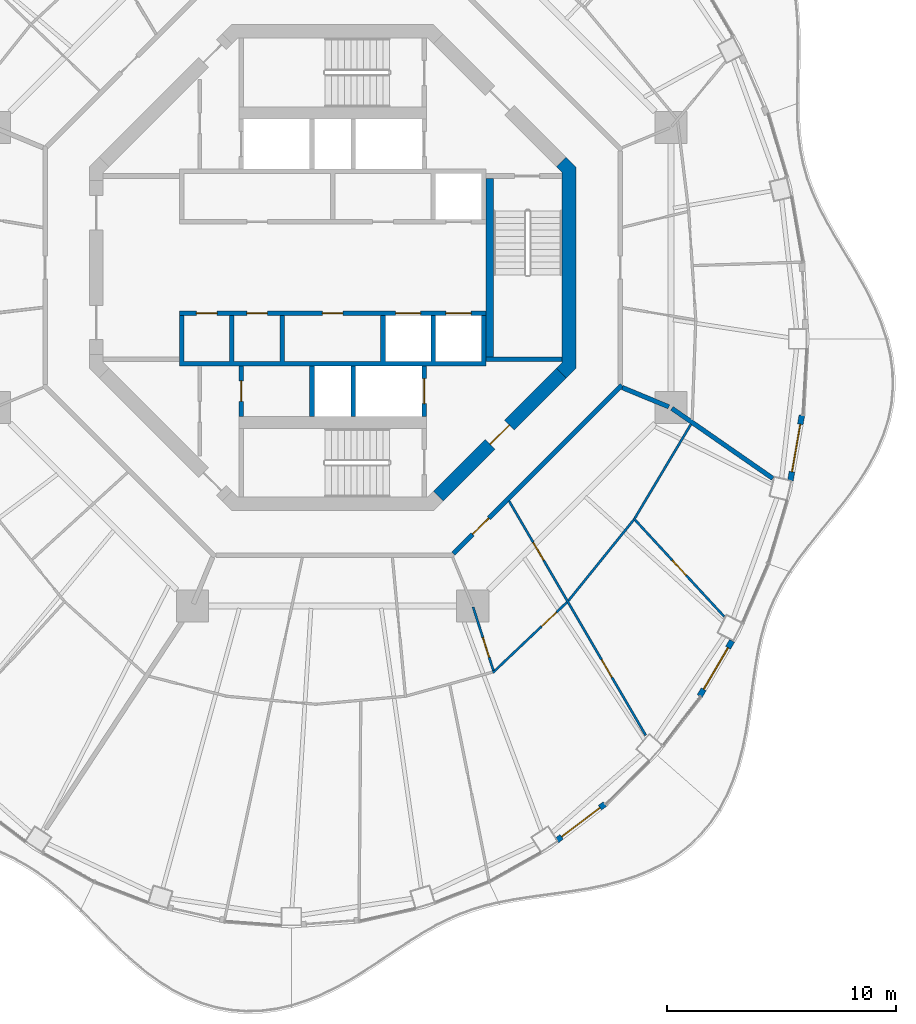
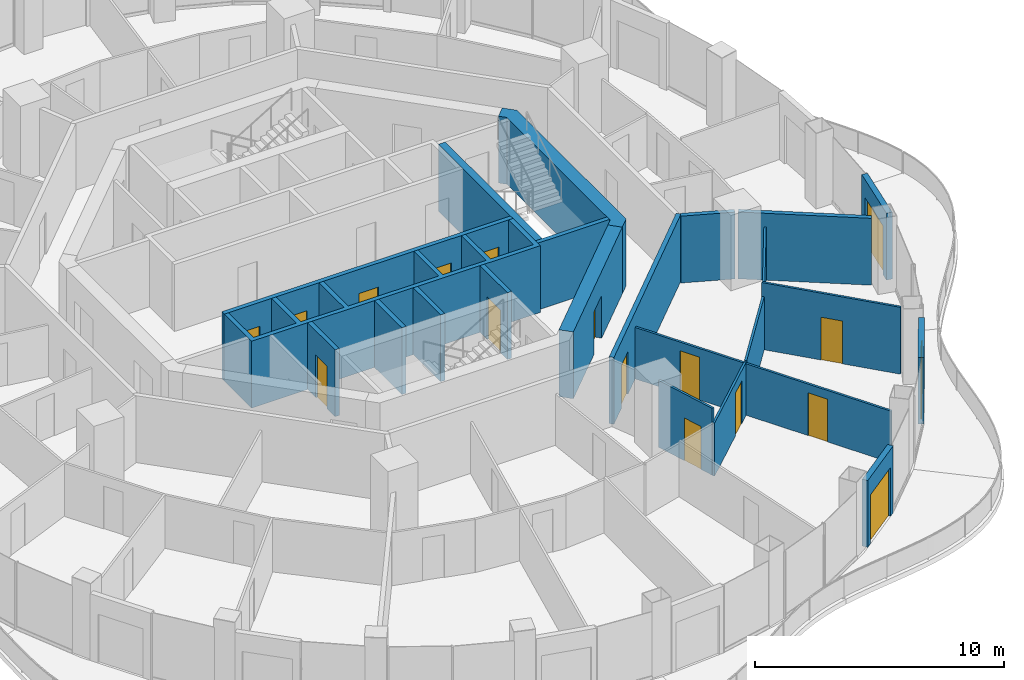
# One storey, part 11 of 17: 22 walls, 17 doors, 17 openings.
"""IFC4 building model written with IfcOpenShell, lengths in metres."""

from ifc_helpers import new_model, si_unit, direction, frame, frame_2d, origin, place, context, subcontext, project, spatial, polyline, rectangle, outline, extrude, material, layer, layer_set, type_object, element, fill, save


model = new_model("IFC4")

# Units and contexts
model_context = context("Model", 3, precision=1e-05, world=origin(), true_north=direction((0.0, 1.0)))
body_context = subcontext(model_context, "Body", "Model", "MODEL_VIEW")
ifc_project = project(units=[si_unit("LENGTHUNIT", "METRE"), si_unit("AREAUNIT", "SQUARE_METRE"), si_unit("VOLUMEUNIT", "CUBIC_METRE"), si_unit("PLANEANGLEUNIT", "RADIAN"), si_unit("MASSUNIT", "GRAM", prefix="KILO")], contexts=[model_context])

# Site, building, storey
site_placement = place(None, origin())
site = spatial("IfcSite", under=ifc_project, at=site_placement, CompositionType="ELEMENT")
building_placement = place(site_placement, origin())
building = spatial("IfcBuilding", under=site, at=building_placement, Name="Nagisa Residences", CompositionType="ELEMENT")
storey_placement = place(building_placement, frame((0.0, 0.0, 295.5)))
storey = spatial("IfcBuildingStorey", under=building, at=storey_placement, Name="L75", CompositionType="ELEMENT", Elevation=295.5)

# Walls
ifc_material_1 = material(Name="Gypsum board on steel studs", Category="steel")
ifc_layer_1 = layer(ifc_material_1, 0.199951171875)
ifc_layer_set_1 = layer_set([ifc_layer_1], Name="Apartment compartment wall EI60 200")
wall_type_1 = type_object("IfcWallType", Name="Apartment compartment wall EI60 200", PredefinedType="PARTITIONING", material=ifc_layer_set_1)
wall_1_placement = place(storey_placement, frame((12.6572265625, -5.24267578125, 0.0), z_axis=(0.0, 0.0, 1.0), x_axis=(0.92383017907, -0.382802560388, 0.0)))
element("IfcWall", 1, at=wall_1_placement, inside=storey, type_object=wall_type_1, Name="wall:L75:u08", PredefinedType="PARTITIONING", context=body_context, shape_type="SweptSolid", body=[
    extrude(rectangle(XDim=2.2001953125, YDim=0.199951171875, at=frame_2d((1.10009765625, 0.0))), origin(), (0.0, 0.0, 1.0), 3.280029296875),
])
wall_2_placement = place(storey_placement, frame((14.8232421875, -6.1513671875, 0.0), z_axis=(0.0, 0.0, 1.0), x_axis=(0.821435065081, -0.570302054928, 0.0)))
element("IfcWall", 2, at=wall_2_placement, inside=storey, type_object=wall_type_1, Name="wall:L75:u09", PredefinedType="PARTITIONING", context=body_context, shape_type="SweptSolid", body=[
    extrude(rectangle(XDim=5.3681640625, YDim=0.199951171875, at=frame_2d((2.68408203125, 0.0))), origin(), (0.0, 0.0, 1.0), 3.280029296875),
])

# Wall, opening, door
ifc_material_2 = material(Name="Gypsum board on steel studs", Category="steel")
ifc_layer_2 = layer(ifc_material_2, 0.199951171875)
ifc_layer_set_2 = layer_set([ifc_layer_2], Name="Apartment entry wall EI60 200")
wall_type_2 = type_object("IfcWallType", Name="Apartment entry wall EI60 200", PredefinedType="PARTITIONING", material=ifc_layer_set_2)
wall_3_placement = place(storey_placement, frame((5.275146484375, -12.494140625, 0.0), z_axis=(0.0, 0.0, 1.0), x_axis=(0.707106781187, 0.707106781187, 0.0)))
wall_3 = element("IfcWall", 3, at=wall_3_placement, inside=storey, type_object=wall_type_2, Name="wall:L75:u17", PredefinedType="PARTITIONING", context=body_context, shape_type="SweptSolid", body=[
    extrude(rectangle(XDim=10.4091796875, YDim=0.199951171875, at=frame_2d((5.20458984375, 0.0))), origin(), (0.0, 0.0, 1.0), 3.280029296875),
])
opening_1_placement = place(wall_3_placement, frame((1.184814453125, 0.0, 0.0)))
opening_1 = element("IfcOpeningElement", 4, at=opening_1_placement, cuts=wall_3, Name="Opening L75-U01", PredefinedType="OPENING", context=body_context, shape_type="SweptSolid", body=[
    extrude(rectangle(XDim=1.0, YDim=2.10009765625, at=frame_2d((0.5, 1.050048828125))), frame((0.0, 0.10986328125, 0.0), z_axis=(0.0, -1.0, 0.0), x_axis=(1.0, 0.0, 0.0)), (0.0, 0.0, 1.0), 0.219970703125),
])
ifc_material_3 = material(Name="Timber fire door set", Category="wood")
door_type_1 = type_object("IfcDoorType", Name="Apartment entry door FD30S 1000x2100", OperationType="NOTDEFINED", PredefinedType="DOOR", material=ifc_material_3)
door_1_placement = place(opening_1_placement, frame((1.0, 0.0, 0.0), x_axis=(-1.0, 0.0, 0.0)))
door_1 = element("IfcDoor", 5, at=door_1_placement, inside=storey, type_object=door_type_1, Name="Entry door, Apartment 75A", OperationType="SINGLE_SWING_RIGHT", OverallHeight=2.10009765625, OverallWidth=1.0, PredefinedType="DOOR", context=body_context, shape_type="SweptSolid", body=[
    extrude(rectangle(XDim=1.0, YDim=2.10009765625, at=frame_2d((0.5, 1.050048828125))), frame((0.0, 0.02490234375, 0.0), z_axis=(0.0, -1.0, 0.0), x_axis=(1.0, 0.0, 0.0)), (0.0, 0.0, 1.0), 0.050048828125),
])
fill(opening_1, door_1)

ifc_material_4 = material(Name="Gypsum board on steel studs", Category="steel")
ifc_layer_3 = layer(ifc_material_4, 0.10009765625)
ifc_layer_set_3 = layer_set([ifc_layer_3], Name="Apartment partition 100")
wall_type_3 = type_object("IfcWallType", Name="Apartment partition 100", PredefinedType="PARTITIONING", material=ifc_layer_set_3)
wall_4_placement = place(storey_placement, frame((6.13818359375, -14.82958984375, 0.0), z_axis=(0.0, 0.0, 1.0), x_axis=(0.303665801704, -0.952778610631, 0.0)))
wall_4 = element("IfcWall", 6, at=wall_4_placement, inside=storey, type_object=wall_type_3, Name="wall:L75:u61", PredefinedType="PARTITIONING", context=body_context, shape_type="SweptSolid", body=[
    extrude(rectangle(XDim=2.921630859375, YDim=0.10009765625, at=frame_2d((1.4609375, 0.0))), origin(), (0.0, 0.0, 1.0), 3.280029296875),
])
opening_2_placement = place(wall_4_placement, frame((1.4072265625, 0.0, 0.0)))
opening_2 = element("IfcOpeningElement", 7, at=opening_2_placement, cuts=wall_4, Name="Opening L75-U02", PredefinedType="OPENING", context=body_context, shape_type="SweptSolid", body=[
    extrude(rectangle(XDim=0.89990234375, YDim=2.10009765625, at=frame_2d((0.449951171875, 1.050048828125))), frame((0.0, 0.06005859375, 0.0), z_axis=(0.0, -1.0, 0.0), x_axis=(1.0, 0.0, 0.0)), (0.0, 0.0, 1.0), 0.1201171875),
])
ifc_material_5 = material(Name="Timber door set", Category="wood")
door_type_2 = type_object("IfcDoorType", Name="Apartment door 900x2100", OperationType="NOTDEFINED", PredefinedType="DOOR", material=ifc_material_5)
door_2_placement = place(opening_2_placement, frame((0.89990234375, 0.0, 0.0), x_axis=(-1.0, 0.0, 0.0)))
door_2 = element("IfcDoor", 8, at=door_2_placement, inside=storey, type_object=door_type_2, Name="Door to family bathroom, Apartment 75A", OperationType="SINGLE_SWING_LEFT", OverallHeight=2.10009765625, OverallWidth=0.89990234375, PredefinedType="DOOR", context=body_context, shape_type="SweptSolid", body=[
    extrude(rectangle(XDim=0.89990234375, YDim=2.10009765625, at=frame_2d((0.449951171875, 1.050048828125))), frame((0.0, 0.02490234375, 0.0), z_axis=(0.0, -1.0, 0.0), x_axis=(1.0, 0.0, 0.0)), (0.0, 0.0, 1.0), 0.050048828125),
])
fill(opening_2, door_2)

wall_5_placement = place(storey_placement, frame((7.004150390625, -17.6953125, 0.0), z_axis=(0.0, 0.0, 1.0), x_axis=(0.725438442765, 0.68828705186, 0.0)))
wall_5 = element("IfcWall", 9, at=wall_5_placement, inside=storey, type_object=wall_type_3, Name="wall:L75:u62", PredefinedType="PARTITIONING", context=body_context, shape_type="SweptSolid", body=[
    extrude(rectangle(XDim=4.45556640625, YDim=0.10009765625, at=frame_2d((2.227783203125, 0.0))), origin(), (0.0, 0.0, 1.0), 2.60205078125),
])
opening_3_placement = place(wall_5_placement, frame((2.9248046875, 0.0, 0.0)))
opening_3 = element("IfcOpeningElement", 10, at=opening_3_placement, cuts=wall_5, Name="Opening L75-U04", PredefinedType="OPENING", context=body_context, shape_type="SweptSolid", body=[
    extrude(rectangle(XDim=0.89990234375, YDim=2.10009765625, at=frame_2d((0.449951171875, 1.050048828125))), frame((0.0, 0.06005859375, 0.0), z_axis=(0.0, -1.0, 0.0), x_axis=(1.0, 0.0, 0.0)), (0.0, 0.0, 1.0), 0.1201171875),
])
door_3_placement = place(opening_3_placement, frame((0.89990234375, 0.0, 0.0), x_axis=(-1.0, 0.0, 0.0)))
door_3 = element("IfcDoor", 11, at=door_3_placement, inside=storey, type_object=door_type_2, Name="Door to living room, Apartment 75A", OperationType="SINGLE_SWING_LEFT", OverallHeight=2.10009765625, OverallWidth=0.89990234375, PredefinedType="DOOR", context=body_context, shape_type="SweptSolid", body=[
    extrude(rectangle(XDim=0.89990234375, YDim=2.10009765625, at=frame_2d((0.449951171875, 1.050048828125))), frame((0.0, 0.02490234375, 0.0), z_axis=(0.0, -1.0, 0.0), x_axis=(1.0, 0.0, 0.0)), (0.0, 0.0, 1.0), 0.050048828125),
])
fill(opening_3, door_3)

# Wall, openings, doors
wall_6_placement = place(storey_placement, frame((7.708251953125, -10.19775390625, 0.0), z_axis=(0.0, 0.0, 1.0), x_axis=(0.503839015963, -0.863797572347, 0.0)))
wall_6 = element("IfcWall", 12, at=wall_6_placement, inside=storey, type_object=wall_type_3, Name="wall:L75:u63", PredefinedType="PARTITIONING", context=body_context, shape_type="SweptSolid", body=[
    extrude(rectangle(XDim=11.855712890625, YDim=0.10009765625, at=frame_2d((5.927734375, 0.0))), origin(), (0.0, 0.0, 1.0), 2.527099609375),
])
opening_4_placement = place(wall_6_placement, frame((2.094970703125, 0.0, 0.0)))
opening_4 = element("IfcOpeningElement", 13, at=opening_4_placement, cuts=wall_6, Name="Opening L75-U03", PredefinedType="OPENING", context=body_context, shape_type="SweptSolid", body=[
    extrude(rectangle(XDim=0.89990234375, YDim=2.10009765625, at=frame_2d((0.449951171875, 1.050048828125))), frame((0.0, 0.06005859375, 0.0), z_axis=(0.0, -1.0, 0.0), x_axis=(1.0, 0.0, 0.0)), (0.0, 0.0, 1.0), 0.1201171875),
])
opening_5_placement = place(wall_6_placement, frame((8.022705078125, 0.0, 0.0)))
opening_5 = element("IfcOpeningElement", 14, at=opening_5_placement, cuts=wall_6, Name="Opening L75-U05", PredefinedType="OPENING", context=body_context, shape_type="SweptSolid", body=[
    extrude(rectangle(XDim=0.89990234375, YDim=2.10009765625, at=frame_2d((0.449951171875, 1.050048828125))), frame((0.0, 0.06005859375, 0.0), z_axis=(0.0, -1.0, 0.0), x_axis=(1.0, 0.0, 0.0)), (0.0, 0.0, 1.0), 0.1201171875),
])
door_4_placement = place(opening_4_placement, origin())
door_4 = element("IfcDoor", 15, at=door_4_placement, inside=storey, type_object=door_type_2, Name="Door to laundry, Apartment 75A", OperationType="SINGLE_SWING_LEFT", OverallHeight=2.10009765625, OverallWidth=0.89990234375, PredefinedType="DOOR", context=body_context, shape_type="SweptSolid", body=[
    extrude(rectangle(XDim=0.89990234375, YDim=2.10009765625, at=frame_2d((0.449951171875, 1.050048828125))), frame((0.0, 0.02490234375, 0.0), z_axis=(0.0, -1.0, 0.0), x_axis=(1.0, 0.0, 0.0)), (0.0, 0.0, 1.0), 0.050048828125),
])
fill(opening_4, door_4)
door_5_placement = place(opening_5_placement, origin())
door_5 = element("IfcDoor", 16, at=door_5_placement, inside=storey, type_object=door_type_2, Name="Door to kitchen, Apartment 75A", OperationType="SINGLE_SWING_LEFT", OverallHeight=2.10009765625, OverallWidth=0.89990234375, PredefinedType="DOOR", context=body_context, shape_type="SweptSolid", body=[
    extrude(rectangle(XDim=0.89990234375, YDim=2.10009765625, at=frame_2d((0.449951171875, 1.050048828125))), frame((0.0, 0.02490234375, 0.0), z_axis=(0.0, -1.0, 0.0), x_axis=(1.0, 0.0, 0.0)), (0.0, 0.0, 1.0), 0.050048828125),
])
fill(opening_5, door_5)

# Wall
wall_7_placement = place(storey_placement, frame((10.303955078125, -14.555419921875, 0.0), z_axis=(0.0, 0.0, 1.0), x_axis=(0.628170338674, 0.778075848237, 0.0)))
element("IfcWall", 17, at=wall_7_placement, inside=storey, type_object=wall_type_3, Name="wall:L75:u64", PredefinedType="PARTITIONING", context=body_context, shape_type="SweptSolid", body=[
    extrude(rectangle(XDim=4.532470703125, YDim=0.10009765625, at=frame_2d((2.26611328125, 0.0))), origin(), (0.0, 0.0, 1.0), 2.60205078125),
])

# Wall, opening, door
wall_8_placement = place(storey_placement, frame((13.148681640625, -10.953125, 0.0), z_axis=(0.0, 0.0, 1.0), x_axis=(0.677762562884, -0.735280836384, 0.0)))
wall_8 = element("IfcWall", 18, at=wall_8_placement, inside=storey, type_object=wall_type_3, Name="wall:L75:u65", PredefinedType="PARTITIONING", context=body_context, shape_type="SweptSolid", body=[
    extrude(rectangle(XDim=5.840576171875, YDim=0.10009765625, at=frame_2d((2.92041015625, 0.0))), origin(), (0.0, 0.0, 1.0), 3.280029296875),
])
opening_6_placement = place(wall_8_placement, frame((2.4951171875, 0.0, 0.0)))
opening_6 = element("IfcOpeningElement", 19, at=opening_6_placement, cuts=wall_8, Name="Opening L75-U06", PredefinedType="OPENING", context=body_context, shape_type="SweptSolid", body=[
    extrude(rectangle(XDim=0.89990234375, YDim=2.10009765625, at=frame_2d((0.449951171875, 1.050048828125))), frame((0.0, 0.06005859375, 0.0), z_axis=(0.0, -1.0, 0.0), x_axis=(1.0, 0.0, 0.0)), (0.0, 0.0, 1.0), 0.1201171875),
])
door_6_placement = place(opening_6_placement, origin())
door_6 = element("IfcDoor", 20, at=door_6_placement, inside=storey, type_object=door_type_2, Name="Door to bedroom, Apartment 75A", OperationType="SINGLE_SWING_RIGHT", OverallHeight=2.10009765625, OverallWidth=0.89990234375, PredefinedType="DOOR", context=body_context, shape_type="SweptSolid", body=[
    extrude(rectangle(XDim=0.89990234375, YDim=2.10009765625, at=frame_2d((0.449951171875, 1.050048828125))), frame((0.0, 0.02490234375, 0.0), z_axis=(0.0, -1.0, 0.0), x_axis=(1.0, 0.0, 0.0)), (0.0, 0.0, 1.0), 0.050048828125),
])
fill(opening_6, door_6)

# Wall
wall_9_placement = place(storey_placement, frame((13.208251953125, -10.947021484375, 0.0), z_axis=(0.0, 0.0, 1.0), x_axis=(0.512726452516, 0.858552028063, 0.0)))
element("IfcWall", 21, at=wall_9_placement, inside=storey, type_object=wall_type_3, Name="wall:L75:u66", PredefinedType="PARTITIONING", context=body_context, shape_type="SweptSolid", body=[
    extrude(rectangle(XDim=4.771728515625, YDim=0.10009765625, at=frame_2d((2.3857421875, 0.0))), origin(), (0.0, 0.0, 1.0), 2.60205078125),
])

# Wall, opening, door
ifc_material_6 = material(Name="Precast concrete C40/50", Category="concrete")
ifc_layer_4 = layer(ifc_material_6, 0.25)
ifc_layer_set_4 = layer_set([ifc_layer_4], Name="BALCONY DOOR WALL 250")
wall_type_4 = type_object("IfcWallType", Name="BALCONY DOOR WALL 250", PredefinedType="SOLIDWALL", material=ifc_layer_set_4)
wall_10_placement = place(storey_placement, frame((11.89453125, -23.439208984375, 0.0), z_axis=(0.0, 0.0, 1.0), x_axis=(-0.796055284084, -0.605223912847, 0.0)))
wall_10 = element("IfcWall", 22, at=wall_10_placement, inside=storey, type_object=wall_type_4, Name="wall:L75:bay40", PredefinedType="SOLIDWALL", context=body_context, shape_type="SweptSolid", body=[
    extrude(rectangle(XDim=2.640625, YDim=0.25, at=frame_2d((1.3203125, 0.0))), origin(), (0.0, 0.0, 1.0), 3.280029296875),
])
opening_7_placement = place(wall_10_placement, frame((0.270263671875, 0.0, 0.0)))
opening_7 = element("IfcOpeningElement", 23, at=opening_7_placement, cuts=wall_10, Name="Opening BD-L75-14", PredefinedType="OPENING", context=body_context, shape_type="SweptSolid", body=[
    extrude(rectangle(XDim=2.10009765625, YDim=2.39990234375, at=frame_2d((1.050048828125, 1.199951171875))), frame((0.0, 0.135009765625, 0.0), z_axis=(0.0, -1.0, 0.0), x_axis=(1.0, 0.0, 0.0)), (0.0, 0.0, 1.0), 0.27001953125),
])
ifc_material_7 = material(Name="Aluminium and clear glass", Category="aluminium")
door_type_3 = type_object("IfcDoorType", Name="BALCONY SLIDING DOOR 2100x2400", OperationType="SLIDING_TO_LEFT", PredefinedType="DOOR", material=ifc_material_7)
door_7_placement = place(opening_7_placement, origin())
door_7 = element("IfcDoor", 24, at=door_7_placement, inside=storey, type_object=door_type_3, Name="door:L75:bay40", OperationType="SLIDING_TO_LEFT", OverallHeight=2.39990234375, OverallWidth=2.10009765625, PredefinedType="DOOR", context=body_context, shape_type="SweptSolid", body=[
    extrude(rectangle(XDim=2.10009765625, YDim=2.39990234375, at=frame_2d((1.050048828125, 1.199951171875))), frame((0.0, 0.02490234375, 0.0), z_axis=(0.0, -1.0, 0.0), x_axis=(1.0, 0.0, 0.0)), (0.0, 0.0, 1.0), 0.050048828125),
])
fill(opening_7, door_7)

wall_11_placement = place(storey_placement, frame((17.453857421875, -16.3125, 0.0), z_axis=(0.0, 0.0, 1.0), x_axis=(-0.506371364425, -0.862315511452, 0.0)))
wall_11 = element("IfcWall", 25, at=wall_11_placement, inside=storey, type_object=wall_type_4, Name="wall:L75:bay43", PredefinedType="SOLIDWALL", context=body_context, shape_type="SweptSolid", body=[
    extrude(rectangle(XDim=2.79638671875, YDim=0.25, at=frame_2d((1.398193359375, 0.0))), origin(), (0.0, 0.0, 1.0), 3.280029296875),
])
opening_8_placement = place(wall_11_placement, frame((0.34814453125, 0.0, 0.0)))
opening_8 = element("IfcOpeningElement", 26, at=opening_8_placement, cuts=wall_11, Name="Opening BD-L75-15", PredefinedType="OPENING", context=body_context, shape_type="SweptSolid", body=[
    extrude(rectangle(XDim=2.10009765625, YDim=2.39990234375, at=frame_2d((1.050048828125, 1.199951171875))), frame((0.0, 0.135009765625, 0.0), z_axis=(0.0, -1.0, 0.0), x_axis=(1.0, 0.0, 0.0)), (0.0, 0.0, 1.0), 0.27001953125),
])
door_8_placement = place(opening_8_placement, origin())
door_8 = element("IfcDoor", 27, at=door_8_placement, inside=storey, type_object=door_type_3, Name="door:L75:bay43", OperationType="SLIDING_TO_LEFT", OverallHeight=2.39990234375, OverallWidth=2.10009765625, PredefinedType="DOOR", context=body_context, shape_type="SweptSolid", body=[
    extrude(rectangle(XDim=2.10009765625, YDim=2.39990234375, at=frame_2d((1.050048828125, 1.199951171875))), frame((0.0, 0.02490234375, 0.0), z_axis=(0.0, -1.0, 0.0), x_axis=(1.0, 0.0, 0.0)), (0.0, 0.0, 1.0), 0.050048828125),
])
fill(opening_8, door_8)

wall_12_placement = place(storey_placement, frame((20.50341796875, -6.455810546875, 0.0), z_axis=(0.0, 0.0, 1.0), x_axis=(-0.172182411767, -0.985065082661, 0.0)))
wall_12 = element("IfcWall", 28, at=wall_12_placement, inside=storey, type_object=wall_type_4, Name="wall:L75:bay46", PredefinedType="SOLIDWALL", context=body_context, shape_type="SweptSolid", body=[
    extrude(rectangle(XDim=2.902587890625, YDim=0.25, at=frame_2d((1.451171875, 0.0))), origin(), (0.0, 0.0, 1.0), 3.280029296875),
])
opening_9_placement = place(wall_12_placement, frame((0.401123046875, 0.0, 0.0)))
opening_9 = element("IfcOpeningElement", 29, at=opening_9_placement, cuts=wall_12, Name="Opening BD-L75-16", PredefinedType="OPENING", context=body_context, shape_type="SweptSolid", body=[
    extrude(rectangle(XDim=2.10009765625, YDim=2.39990234375, at=frame_2d((1.050048828125, 1.199951171875))), frame((0.0, 0.135009765625, 0.0), z_axis=(0.0, -1.0, 0.0), x_axis=(1.0, 0.0, 0.0)), (0.0, 0.0, 1.0), 0.27001953125),
])
door_9_placement = place(opening_9_placement, origin())
door_9 = element("IfcDoor", 30, at=door_9_placement, inside=storey, type_object=door_type_3, Name="door:L75:bay46", OperationType="SLIDING_TO_LEFT", OverallHeight=2.39990234375, OverallWidth=2.10009765625, PredefinedType="DOOR", context=body_context, shape_type="SweptSolid", body=[
    extrude(rectangle(XDim=2.10009765625, YDim=2.39990234375, at=frame_2d((1.050048828125, 1.199951171875))), frame((0.0, 0.02490234375, 0.0), z_axis=(0.0, -1.0, 0.0), x_axis=(1.0, 0.0, 0.0)), (0.0, 0.0, 1.0), 0.050048828125),
])
fill(opening_9, door_9)

ifc_material_8 = material(Name="Concrete C60", Category="concrete")
ifc_layer_5 = layer(ifc_material_8, 0.60009765625)
ifc_layer_set_5 = layer_set([ifc_layer_5], Name="Core shear wall 600")
wall_type_5 = type_object("IfcWallType", Name="Core shear wall 600", PredefinedType="SHEAR", material=ifc_layer_set_5)
wall_13_placement = place(storey_placement, frame((4.613037109375, -9.98828125, 0.0), z_axis=(0.0, 0.0, 1.0), x_axis=(0.707106781187, 0.707106781187, 0.0)))
wall_13 = element("IfcWall", 31, at=wall_13_placement, inside=storey, type_object=wall_type_5, Name="wall:L75:core:flat7", PredefinedType="SHEAR", context=body_context, shape_type="SweptSolid", body=[
    extrude(rectangle(XDim=7.601806640625, YDim=0.60009765625, at=frame_2d((3.80078125, 0.0))), origin(), (0.0, 0.0, 1.0), 3.280029296875),
])
opening_10_placement = place(wall_13_placement, frame((3.200927734375, 0.0, 0.0)))
opening_10 = element("IfcOpeningElement", 32, at=opening_10_placement, cuts=wall_13, Name="Opening L75-C19", PredefinedType="OPENING", context=body_context, shape_type="SweptSolid", body=[
    extrude(rectangle(XDim=1.199951171875, YDim=2.10009765625, at=frame_2d((0.60009765625, 1.050048828125))), frame((0.0, 0.31005859375, 0.0), z_axis=(0.0, -1.0, 0.0), x_axis=(1.0, 0.0, 0.0)), (0.0, 0.0, 1.0), 0.6201171875),
])
ifc_material_9 = material(Name="Steel fire door", Category="steel")
door_type_4 = type_object("IfcDoorType", Name="Fire door EI60 1200x2100 single swing", OperationType="NOTDEFINED", PredefinedType="DOOR", material=ifc_material_9)
door_10_placement = place(opening_10_placement, origin())
door_10 = element("IfcDoor", 33, at=door_10_placement, inside=storey, type_object=door_type_4, Name="Firefighting lobby 2 door L75", OperationType="SINGLE_SWING_RIGHT", OverallHeight=2.10009765625, OverallWidth=1.199951171875, PredefinedType="DOOR", context=body_context, shape_type="SweptSolid", body=[
    extrude(rectangle(XDim=1.199951171875, YDim=2.10009765625, at=frame_2d((0.60009765625, 1.050048828125))), frame((0.0, 0.02490234375, 0.0), z_axis=(0.0, -1.0, 0.0), x_axis=(1.0, 0.0, 0.0)), (0.0, 0.0, 1.0), 0.050048828125),
])
fill(opening_10, door_10)

# Wall
wall_14_placement = place(storey_placement, origin())
element("IfcWall", 34, at=wall_14_placement, inside=storey, type_object=wall_type_5, Name="wall:L75:core:flat0", PredefinedType="SHEAR", context=body_context, shape_type="SweptSolid", body=[
    extrude(outline(polyline([(9.776123046875, -4.40087890625), (10.024658203125, -4.15234375), (10.024658203125, -3.801025390625), (10.024658203125, 4.15234375), (9.776123046875, 4.40087890625), (10.200439453125, 4.8251953125), (10.62451171875, 4.40087890625), (10.62451171875, -4.40087890625), (10.200439453125, -4.8251953125), (9.776123046875, -4.40087890625)])), origin(), (0.0, 0.0, 1.0), 3.280029296875),
])

# Wall, opening, door
ifc_material_10 = material(Name="Concrete C60", Category="concrete")
ifc_layer_6 = layer(ifc_material_10, 0.199951171875)
ifc_layer_set_6 = layer_set([ifc_layer_6], Name="Lift shaft wall 200")
wall_type_6 = type_object("IfcWallType", Name="Lift shaft wall 200", PredefinedType="SOLIDWALL", material=ifc_layer_set_6)
wall_15_placement = place(storey_placement, frame((4.0, -6.5, 0.0), z_axis=(0.0, 0.0, 1.0), x_axis=(0.0, 1.0, 0.0)))
wall_15 = element("IfcWall", 35, at=wall_15_placement, inside=storey, type_object=wall_type_6, Name="wall:L75:Sb3", PredefinedType="SOLIDWALL", context=body_context, shape_type="SweptSolid", body=[
    extrude(rectangle(XDim=2.199951171875, YDim=0.199951171875, at=frame_2d((1.10009765625, 0.0))), origin(), (0.0, 0.0, 1.0), 3.280029296875),
])
opening_11_placement = place(wall_15_placement, frame((0.550048828125, 0.0, 0.0)))
opening_11 = element("IfcOpeningElement", 36, at=opening_11_placement, cuts=wall_15, Name="Opening L75-C05", PredefinedType="OPENING", context=body_context, shape_type="SweptSolid", body=[
    extrude(rectangle(XDim=1.10009765625, YDim=2.10009765625, at=frame_2d((0.550048828125, 1.050048828125))), frame((0.0, 0.10986328125, 0.0), z_axis=(0.0, -1.0, 0.0), x_axis=(1.0, 0.0, 0.0)), (0.0, 0.0, 1.0), 0.219970703125),
])
ifc_material_11 = material(Name="Stainless steel", Category="steel")
door_type_5 = type_object("IfcDoorType", Name="Lift landing door 1100x2100", OperationType="DOUBLE_DOOR_SLIDING", PredefinedType="DOOR", material=ifc_material_11)
door_11_placement = place(opening_11_placement, origin())
door_11 = element("IfcDoor", 37, at=door_11_placement, inside=storey, type_object=door_type_5, Name="Landing door FL2 L75", OperationType="DOUBLE_DOOR_SLIDING", OverallHeight=2.10009765625, OverallWidth=1.10009765625, PredefinedType="DOOR", context=body_context, shape_type="SweptSolid", body=[
    extrude(rectangle(XDim=1.10009765625, YDim=2.10009765625, at=frame_2d((0.550048828125, 1.050048828125))), frame((0.0, 0.02490234375, 0.0), z_axis=(0.0, -1.0, 0.0), x_axis=(1.0, 0.0, 0.0)), (0.0, 0.0, 1.0), 0.050048828125),
])
fill(opening_11, door_11)

wall_16_placement = place(storey_placement, frame((-4.0, -6.5, 0.0), z_axis=(0.0, 0.0, 1.0), x_axis=(0.0, 1.0, 0.0)))
wall_16 = element("IfcWall", 38, at=wall_16_placement, inside=storey, type_object=wall_type_6, Name="wall:L75:Sb4", PredefinedType="SOLIDWALL", context=body_context, shape_type="SweptSolid", body=[
    extrude(rectangle(XDim=2.199951171875, YDim=0.199951171875, at=frame_2d((1.10009765625, 0.0))), origin(), (0.0, 0.0, 1.0), 3.280029296875),
])
opening_12_placement = place(wall_16_placement, frame((0.64990234375, 0.0, 0.0)))
opening_12 = element("IfcOpeningElement", 39, at=opening_12_placement, cuts=wall_16, Name="Opening L75-C12", PredefinedType="OPENING", context=body_context, shape_type="SweptSolid", body=[
    extrude(rectangle(XDim=0.89990234375, YDim=2.10009765625, at=frame_2d((0.449951171875, 1.050048828125))), frame((0.0, 0.10986328125, 0.0), z_axis=(0.0, -1.0, 0.0), x_axis=(1.0, 0.0, 0.0)), (0.0, 0.0, 1.0), 0.219970703125),
])
ifc_material_12 = material(Name="Steel fire door", Category="steel")
door_type_6 = type_object("IfcDoorType", Name="Fire door EI30 900x2100 single swing", OperationType="NOTDEFINED", PredefinedType="DOOR", material=ifc_material_12)
door_12_placement = place(opening_12_placement, frame((0.89990234375, 0.0, 0.0), x_axis=(-1.0, 0.0, 0.0)))
door_12 = element("IfcDoor", 40, at=door_12_placement, inside=storey, type_object=door_type_6, Name="Refuse room door L75", OperationType="SINGLE_SWING_RIGHT", OverallHeight=2.10009765625, OverallWidth=0.89990234375, PredefinedType="DOOR", context=body_context, shape_type="SweptSolid", body=[
    extrude(rectangle(XDim=0.89990234375, YDim=2.10009765625, at=frame_2d((0.449951171875, 1.050048828125))), frame((0.0, 0.02490234375, 0.0), z_axis=(0.0, -1.0, 0.0), x_axis=(1.0, 0.0, 0.0)), (0.0, 0.0, 1.0), 0.050048828125),
])
fill(opening_12, door_12)

# Wall, openings, doors
wall_17_placement = place(storey_placement, frame((-6.699951171875, -2.0, 0.0), z_axis=(0.0, 0.0, 1.0), x_axis=(1.0, 0.0, 0.0)))
wall_17 = element("IfcWall", 41, at=wall_17_placement, inside=storey, type_object=wall_type_6, Name="wall:L75:Sfront", PredefinedType="SOLIDWALL", context=body_context, shape_type="SweptSolid", body=[
    extrude(rectangle(XDim=13.39990234375, YDim=0.199951171875, at=frame_2d((6.699951171875, 0.0))), origin(), (0.0, 0.0, 1.0), 3.280029296875),
])
opening_13_placement = place(wall_17_placement, frame((9.449951171875, 0.0, 0.0)))
opening_13 = element("IfcOpeningElement", 42, at=opening_13_placement, cuts=wall_17, Name="Opening L75-C02", PredefinedType="OPENING", context=body_context, shape_type="SweptSolid", body=[
    extrude(rectangle(XDim=1.10009765625, YDim=2.10009765625, at=frame_2d((0.550048828125, 1.050048828125))), frame((0.0, 0.10986328125, 0.0), z_axis=(0.0, -1.0, 0.0), x_axis=(1.0, 0.0, 0.0)), (0.0, 0.0, 1.0), 0.219970703125),
])
opening_14_placement = place(wall_17_placement, frame((11.64990234375, 0.0, 0.0)))
opening_14 = element("IfcOpeningElement", 43, at=opening_14_placement, cuts=wall_17, Name="Opening L75-C03", PredefinedType="OPENING", context=body_context, shape_type="SweptSolid", body=[
    extrude(rectangle(XDim=1.10009765625, YDim=2.10009765625, at=frame_2d((0.550048828125, 1.050048828125))), frame((0.0, 0.10986328125, 0.0), z_axis=(0.0, -1.0, 0.0), x_axis=(1.0, 0.0, 0.0)), (0.0, 0.0, 1.0), 0.219970703125),
])
opening_15_placement = place(wall_17_placement, frame((0.75, 0.0, 0.0)))
opening_15 = element("IfcOpeningElement", 44, at=opening_15_placement, cuts=wall_17, Name="Opening L75-C15", PredefinedType="OPENING", context=body_context, shape_type="SweptSolid", body=[
    extrude(rectangle(XDim=0.89990234375, YDim=2.10009765625, at=frame_2d((0.449951171875, 1.050048828125))), frame((0.0, 0.10986328125, 0.0), z_axis=(0.0, -1.0, 0.0), x_axis=(1.0, 0.0, 0.0)), (0.0, 0.0, 1.0), 0.219970703125),
])
opening_16_placement = place(wall_17_placement, frame((2.949951171875, 0.0, 0.0)))
opening_16 = element("IfcOpeningElement", 45, at=opening_16_placement, cuts=wall_17, Name="Opening L75-C16", PredefinedType="OPENING", context=body_context, shape_type="SweptSolid", body=[
    extrude(rectangle(XDim=0.89990234375, YDim=2.10009765625, at=frame_2d((0.449951171875, 1.050048828125))), frame((0.0, 0.10986328125, 0.0), z_axis=(0.0, -1.0, 0.0), x_axis=(1.0, 0.0, 0.0)), (0.0, 0.0, 1.0), 0.219970703125),
])
opening_17_placement = place(wall_17_placement, frame((6.25, 0.0, 0.0)))
opening_17 = element("IfcOpeningElement", 46, at=opening_17_placement, cuts=wall_17, Name="Opening L75-C17", PredefinedType="OPENING", context=body_context, shape_type="SweptSolid", body=[
    extrude(rectangle(XDim=0.89990234375, YDim=2.10009765625, at=frame_2d((0.449951171875, 1.050048828125))), frame((0.0, 0.10986328125, 0.0), z_axis=(0.0, -1.0, 0.0), x_axis=(1.0, 0.0, 0.0)), (0.0, 0.0, 1.0), 0.219970703125),
])
door_13_placement = place(opening_15_placement, frame((0.89990234375, 0.0, 0.0), x_axis=(-1.0, 0.0, 0.0)))
door_13 = element("IfcDoor", 47, at=door_13_placement, inside=storey, type_object=door_type_6, Name="Stationery store door L75", OperationType="SINGLE_SWING_LEFT", OverallHeight=2.10009765625, OverallWidth=0.89990234375, PredefinedType="DOOR", context=body_context, shape_type="SweptSolid", body=[
    extrude(rectangle(XDim=0.89990234375, YDim=2.10009765625, at=frame_2d((0.449951171875, 1.050048828125))), frame((0.0, 0.02490234375, 0.0), z_axis=(0.0, -1.0, 0.0), x_axis=(1.0, 0.0, 0.0)), (0.0, 0.0, 1.0), 0.050048828125),
])
fill(opening_15, door_13)
door_14_placement = place(opening_16_placement, frame((0.89990234375, 0.0, 0.0), x_axis=(-1.0, 0.0, 0.0)))
door_14 = element("IfcDoor", 48, at=door_14_placement, inside=storey, type_object=door_type_6, Name="Wine store door L75", OperationType="SINGLE_SWING_LEFT", OverallHeight=2.10009765625, OverallWidth=0.89990234375, PredefinedType="DOOR", context=body_context, shape_type="SweptSolid", body=[
    extrude(rectangle(XDim=0.89990234375, YDim=2.10009765625, at=frame_2d((0.449951171875, 1.050048828125))), frame((0.0, 0.02490234375, 0.0), z_axis=(0.0, -1.0, 0.0), x_axis=(1.0, 0.0, 0.0)), (0.0, 0.0, 1.0), 0.050048828125),
])
fill(opening_16, door_14)
door_15_placement = place(opening_17_placement, frame((0.89990234375, 0.0, 0.0), x_axis=(-1.0, 0.0, 0.0)))
door_15 = element("IfcDoor", 49, at=door_15_placement, inside=storey, type_object=door_type_6, Name="Package room door L75", OperationType="SINGLE_SWING_LEFT", OverallHeight=2.10009765625, OverallWidth=0.89990234375, PredefinedType="DOOR", context=body_context, shape_type="SweptSolid", body=[
    extrude(rectangle(XDim=0.89990234375, YDim=2.10009765625, at=frame_2d((0.449951171875, 1.050048828125))), frame((0.0, 0.02490234375, 0.0), z_axis=(0.0, -1.0, 0.0), x_axis=(1.0, 0.0, 0.0)), (0.0, 0.0, 1.0), 0.050048828125),
])
fill(opening_17, door_15)
door_16_placement = place(opening_13_placement, origin())
door_16 = element("IfcDoor", 50, at=door_16_placement, inside=storey, type_object=door_type_5, Name="Landing door C2 L75", OperationType="DOUBLE_DOOR_SLIDING", OverallHeight=2.10009765625, OverallWidth=1.10009765625, PredefinedType="DOOR", context=body_context, shape_type="SweptSolid", body=[
    extrude(rectangle(XDim=1.10009765625, YDim=2.10009765625, at=frame_2d((0.550048828125, 1.050048828125))), frame((0.0, 0.02490234375, 0.0), z_axis=(0.0, -1.0, 0.0), x_axis=(1.0, 0.0, 0.0)), (0.0, 0.0, 1.0), 0.050048828125),
])
fill(opening_13, door_16)
door_17_placement = place(opening_14_placement, origin())
door_17 = element("IfcDoor", 51, at=door_17_placement, inside=storey, type_object=door_type_5, Name="Landing door C3 L75", OperationType="DOUBLE_DOOR_SLIDING", OverallHeight=2.10009765625, OverallWidth=1.10009765625, PredefinedType="DOOR", context=body_context, shape_type="SweptSolid", body=[
    extrude(rectangle(XDim=1.10009765625, YDim=2.10009765625, at=frame_2d((0.550048828125, 1.050048828125))), frame((0.0, 0.02490234375, 0.0), z_axis=(0.0, -1.0, 0.0), x_axis=(1.0, 0.0, 0.0)), (0.0, 0.0, 1.0), 0.050048828125),
])
fill(opening_14, door_17)

# Walls
for number, where, z_axis, x_axis, name in (
    (52, (-0.89990234375, -6.5, 0.0), (0.0, 0.0, 1.0), (0.0, 1.0, 0.0), "wall:L75:Sb1"),
    (53, (0.89990234375, -6.5, 0.0), (0.0, 0.0, 1.0), (0.0, 1.0, 0.0), "wall:L75:Sb2"),
):
    element("IfcWall", number, at=place(storey_placement, frame(where, z_axis=z_axis, x_axis=x_axis)), inside=storey, type_object=wall_type_6, Name=name, PredefinedType="SOLIDWALL", context=body_context, shape_type="SweptSolid", body=[
        extrude(rectangle(XDim=2.199951171875, YDim=0.199951171875, at=frame_2d((1.10009765625, 0.0))), origin(), (0.0, 0.0, 1.0), 3.280029296875),
    ])
wall_18_placement = place(storey_placement, origin())
element("IfcWall", 54, at=wall_18_placement, inside=storey, type_object=wall_type_6, Name="wall:L75:Sback", PredefinedType="SOLIDWALL", context=body_context, shape_type="SweptSolid", body=[
    extrude(outline(polyline([(-6.699951171875, -2.10009765625), (-6.5, -2.10009765625), (-6.5, -4.10009765625), (-4.5, -4.10009765625), (-4.5, -2.10009765625), (-4.300048828125, -2.10009765625), (-4.300048828125, -4.10009765625), (-2.300048828125, -4.10009765625), (-2.300048828125, -2.10009765625), (-2.10009765625, -2.10009765625), (-2.10009765625, -4.10009765625), (2.10009765625, -4.10009765625), (2.10009765625, -2.10009765625), (2.300048828125, -2.10009765625), (2.300048828125, -4.10009765625), (4.300048828125, -4.10009765625), (4.300048828125, -2.10009765625), (4.5, -2.10009765625), (4.5, -4.10009765625), (6.5, -4.10009765625), (6.5, -2.10009765625), (6.699951171875, -2.10009765625), (6.699951171875, -4.300048828125), (-6.699951171875, -4.300048828125), (-6.699951171875, -2.10009765625)])), origin(), (0.0, 0.0, 1.0), 3.280029296875),
])
ifc_material_13 = material(Name="Concrete C60", Category="concrete")
ifc_layer_7 = layer(ifc_material_13, 0.199951171875)
ifc_layer_set_7 = layer_set([ifc_layer_7], Name="Stair enclosure wall 200")
wall_type_7 = type_object("IfcWallType", Name="Stair enclosure wall 200", PredefinedType="SOLIDWALL", material=ifc_layer_set_7)
wall_19_placement = place(storey_placement, origin())
element("IfcWall", 55, at=wall_19_placement, inside=storey, type_object=wall_type_7, Name="wall:L75:SE_w", PredefinedType="SOLIDWALL", context=body_context, shape_type="SweptSolid", body=[
    extrude(outline(polyline([(7.024658203125, -3.89990234375), (6.699951171875, -3.89990234375), (6.699951171875, 3.89990234375), (7.024658203125, 3.89990234375), (7.024658203125, -3.89990234375)])), origin(), (0.0, 0.0, 1.0), 3.280029296875),
])
wall_20_placement = place(storey_placement, origin())
element("IfcWall", 56, at=wall_20_placement, inside=storey, type_object=wall_type_7, Name="wall:L75:SE_s", PredefinedType="SOLIDWALL", context=body_context, shape_type="SweptSolid", body=[
    extrude(outline(polyline([(10.024658203125, -4.10009765625), (6.699951171875, -4.10009765625), (6.699951171875, -3.89990234375), (10.024658203125, -3.89990234375), (10.024658203125, -4.10009765625)])), origin(), (0.0, 0.0, 1.0), 3.280029296875),
])

save(model, "model.ifc")
